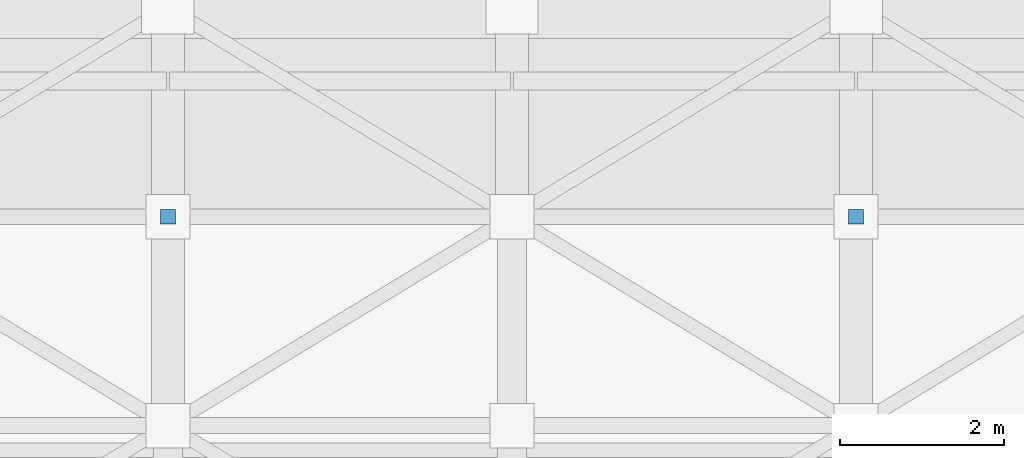
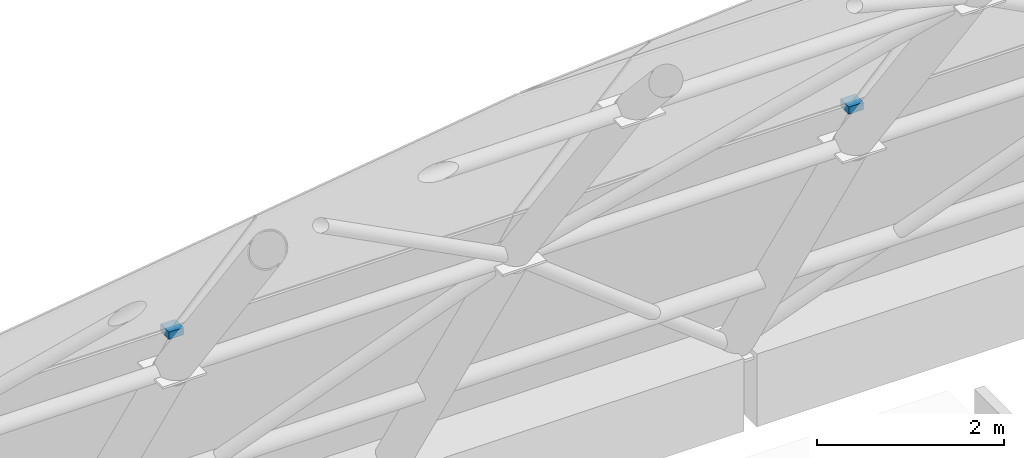
# One storey, part 82 of 128: 2 discrete accessories.
"""IFC4 building model written with IfcOpenShell, lengths in metres."""

from ifc_helpers import new_model, si_unit, direction, frame, origin, origin_2d, place, context, subcontext, project, spatial, rectangle, extrude, material, type_object, element, save


model = new_model("IFC4")

# Units and contexts
model_context = context("Model", 3, precision=1e-05, world=origin(), true_north=direction((0.0, 1.0)))
body_context = subcontext(model_context, "Body", "Model", "MODEL_VIEW")
ifc_project = project(units=[si_unit("LENGTHUNIT", "METRE"), si_unit("AREAUNIT", "SQUARE_METRE"), si_unit("VOLUMEUNIT", "CUBIC_METRE"), si_unit("PLANEANGLEUNIT", "RADIAN"), si_unit("MASSUNIT", "GRAM", prefix="KILO")], contexts=[model_context])

# Site, building, storey
site_placement = place(None, origin())
site = spatial("IfcSite", under=ifc_project, at=site_placement, CompositionType="ELEMENT")
building_placement = place(site_placement, origin())
building = spatial("IfcBuilding", under=site, at=building_placement, Name="Telukmera Botanical Conservatory", CompositionType="ELEMENT")
storey_placement = place(building_placement, frame((0.0, 0.0, 5.39990234375)))
storey = spatial("IfcBuildingStorey", under=building, at=storey_placement, Name="L01", CompositionType="ELEMENT", Elevation=5.39990234375)

# Discrete accessories
ifc_material = material(Name="Steel S355", Category="steel")
discrete_accessory_type = type_object("IfcDiscreteAccessoryType", Name="Structural Steel Gridshell Glazing Shoe Bracket", PredefinedType="BRACKET", material=ifc_material)
for number, where, z_axis, x_axis, name in (
    (1, (126.0, 45.64990234375, 4.56494140625), (0.0, 0.0, 1.0), (1.0, 0.0, 0.0), "Conservatory Node Glazing Spider Bracket 02-11"),
    (2, (134.39990234375, 45.64990234375, 4.56494140625), (0.0, 0.0, 1.0), (1.0, 0.0, 0.0), "Conservatory Node Glazing Spider Bracket 04-11"),
):
    element("IfcDiscreteAccessory", number, at=place(storey_placement, frame(where, z_axis=z_axis, x_axis=x_axis)), inside=storey, type_object=discrete_accessory_type, Name=name, PredefinedType="BRACKET", context=body_context, shape_type="SweptSolid", body=[
        extrude(rectangle(XDim=0.179931640625, YDim=0.179931640625, at=origin_2d()), origin(), (0.0, 0.0, 1.0), 0.094970703125),
    ])

save(model, "model.ifc")
